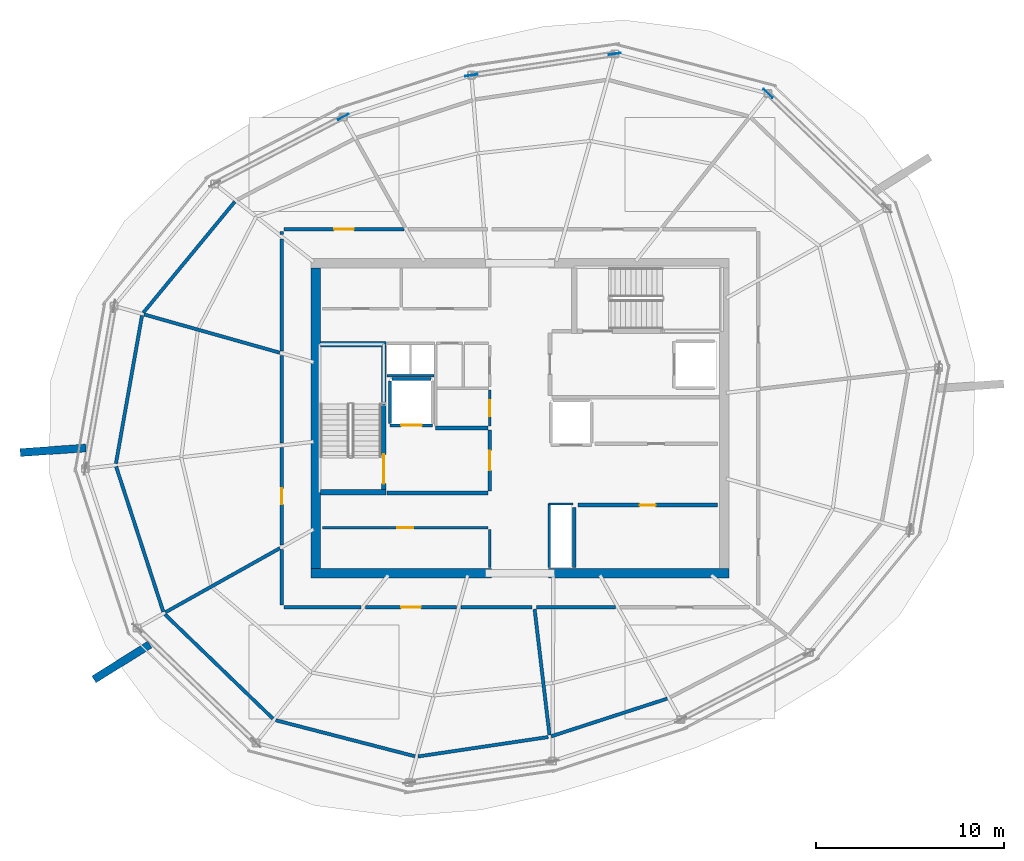
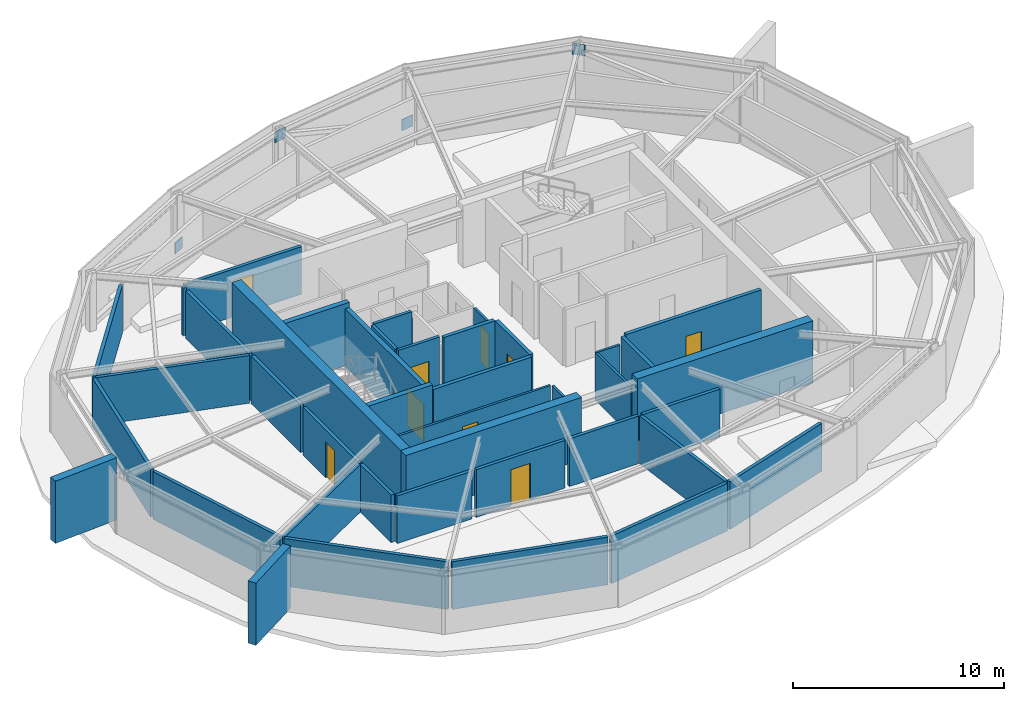
# One storey, part 7 of 10: 42 walls, 9 doors, 4 plates, 9 openings.
"""IFC4 building model written with IfcOpenShell, lengths in metres."""

import ifcopenshell
import ifcopenshell.guid

model = None  # the IFC model being written
_history = None  # IfcOwnerHistory: only IFC2X3 demands one
_inside = {}  # id of a spatial element -> (the spatial element, [elements in it])
_under = {}  # id of a project, library or spatial element -> (it, [spatial elements below it])
_declared = {}  # id of a project -> (the project, [libraries it declares])
_typed = {}  # id of a type object -> (the type object, [elements of that type])
_made_of = {}  # id of a material, layer set ... -> (it, [elements and type objects made of it])


def new_model(schema):
    """Start an empty IFC model of exactly this schema.

    Asked for "IFC4X3", IfcOpenShell would pick the latest addendum, in which some entities
    have other attributes; the version numbers below select the first issue.
    IFC2X3 requires an IfcOwnerHistory on every rooted entity: one is made here for all.
    """
    global model, _history
    if schema == "IFC4X3":
        model = ifcopenshell.file(schema_version=(4, 3, 0, 0))
    else:
        model = ifcopenshell.file(schema=schema)
    _inside.clear()
    _under.clear()
    _declared.clear()
    _typed.clear()
    _made_of.clear()
    _history = None
    if model.schema == "IFC2X3":
        org = make("IfcOrganization", Name="unknown")
        user = make(
            "IfcPersonAndOrganization",
            ThePerson=make("IfcPerson", FamilyName="unknown"),
            TheOrganization=org,
        )
        app = make(
            "IfcApplication",
            ApplicationDeveloper=org,
            Version="unknown",
            ApplicationFullName="unknown",
            ApplicationIdentifier="unknown",
        )
        _history = make(
            "IfcOwnerHistory",
            OwningUser=user,
            OwningApplication=app,
            ChangeAction="ADDED",
            CreationDate=0,
        )
    return model


def make(cls, **values):
    """One entity of the class cls with the attributes given. An attribute that is None is left unset."""
    return model.create_entity(
        cls, **{name: value for name, value in values.items() if value is not None}
    )


def rooted(cls, **values):
    """An entity with a GlobalId (a new one), such as an element, a storey or a relation."""
    return make(cls, GlobalId=ifcopenshell.guid.new(), OwnerHistory=_history, **values)


def si_unit(unit_type, name, prefix=None):
    """IfcSIUnit, for example si_unit("LENGTHUNIT", "METRE", prefix="MILLI")."""
    return make("IfcSIUnit", UnitType=unit_type, Prefix=prefix, Name=name)


def assignment(units):
    """IfcUnitAssignment: the units of a project."""
    return None if units is None else make("IfcUnitAssignment", Units=units)


def point(xyz):
    """IfcCartesianPoint."""
    return None if xyz is None else make("IfcCartesianPoint", Coordinates=xyz)


def direction(xyz):
    """IfcDirection."""
    return None if xyz is None else make("IfcDirection", DirectionRatios=xyz)


def frame(location, z_axis=None, x_axis=None):
    """IfcAxis2Placement3D, a coordinate frame: its origin and axes. An axis left out is left unset."""
    return make(
        "IfcAxis2Placement3D",
        Location=point(location),
        Axis=direction(z_axis),
        RefDirection=direction(x_axis),
    )


def frame_2d(location, x_axis=None):
    """IfcAxis2Placement2D, a coordinate frame in the plane: its origin and x axis."""
    return make(
        "IfcAxis2Placement2D", Location=point(location), RefDirection=direction(x_axis)
    )


def origin():
    """The frame at (0, 0, 0) with its axes left unset."""
    return frame((0.0, 0.0, 0.0))


def origin_2d():
    """The frame at (0, 0) in the plane with its x axis left unset."""
    return frame_2d((0.0, 0.0))


def place(relative_to, where):
    """IfcLocalPlacement: puts the frame where relative to a parent placement (None: the world)."""
    return make(
        "IfcLocalPlacement", PlacementRelTo=relative_to, RelativePlacement=where
    )


def context(
    kind, dimensions, precision=None, world=None, true_north=None, identifier=None
):
    """IfcGeometricRepresentationContext, for example the 3D "Model" context."""
    return make(
        "IfcGeometricRepresentationContext",
        ContextIdentifier=identifier,
        ContextType=kind,
        CoordinateSpaceDimension=dimensions,
        Precision=precision,
        WorldCoordinateSystem=world,
        TrueNorth=true_north,
    )


def subcontext(parent, identifier, kind, view, scale=None):
    """IfcGeometricRepresentationSubContext, for example "Body" below "Model"."""
    return make(
        "IfcGeometricRepresentationSubContext",
        ContextIdentifier=identifier,
        ContextType=kind,
        ParentContext=parent,
        TargetScale=scale,
        TargetView=view,
    )


def project(units=None, contexts=None):
    """IfcProject with its units and contexts."""
    return rooted(
        "IfcProject",
        Name="project",
        RepresentationContexts=contexts,
        UnitsInContext=assignment(units),
    )


def spatial(cls, under=None, at=None, **own):
    """A site, building, storey or space (cls), placed at a placement, below another one or the project."""
    s = rooted(cls, ObjectPlacement=at, **own)
    if under is not None:
        _under.setdefault(under.id(), (under, []))[1].append(s)
    return s


def profile(cls, at=None, kind="AREA", **sizes):
    """A parametric profile (cls). Its sizes go by their IFC names, for example OverallWidth=200.0."""
    return make(cls, ProfileType=kind, Position=at, **sizes)


def rectangle(**sizes):
    """IfcRectangleProfileDef."""
    return profile("IfcRectangleProfileDef", **sizes)


def extrude(swept, where, along, depth):
    """IfcExtrudedAreaSolid: the profile swept, set in the frame where, extruded along a direction by depth."""
    return make(
        "IfcExtrudedAreaSolid",
        SweptArea=swept,
        Position=where,
        ExtrudedDirection=direction(along),
        Depth=depth,
    )


def shape(context_of_items, identifier, shape_type, items):
    """IfcShapeRepresentation: the items that make up one representation, for example the "Body"."""
    return make(
        "IfcShapeRepresentation",
        ContextOfItems=context_of_items,
        RepresentationIdentifier=identifier,
        RepresentationType=shape_type,
        Items=items,
    )


def material(Name=None, Category=None):
    """IfcMaterial."""
    return make("IfcMaterial", Name=Name, Category=Category)


def layer(
    of_material, thickness, ventilated=None, Name=None, Category=None, Priority=None
):
    """IfcMaterialLayer: one layer of a wall or slab, of a material (None: an air gap)."""
    return make(
        "IfcMaterialLayer",
        Material=of_material,
        LayerThickness=thickness,
        IsVentilated=ventilated,
        Name=Name,
        Category=Category,
        Priority=Priority,
    )


def layer_set(layers, Name=None):
    """IfcMaterialLayerSet."""
    return make("IfcMaterialLayerSet", MaterialLayers=layers, LayerSetName=Name)


def made_of(thing, what):
    """Note that an element or type object is made of a material, layer set ...; save() writes the relation."""
    if what is not None:
        _made_of.setdefault(what.id(), (what, []))[1].append(thing)
    return thing


def type_object(cls, material=None, **own):
    """A type object (cls), such as IfcWallType, which elements share."""
    return made_of(rooted(cls, **own), material)


def element(
    cls,
    number,
    at=None,
    inside=None,
    cuts=None,
    type_object=None,
    material=None,
    context=None,
    identifier="Body",
    shape_type=None,
    held_by="IfcProductDefinitionShape",
    body=None,
    shapes=None,
    **own,
):
    """One element of the class cls, such as IfcWall. Its Tag is "e" and its number.

    at: its placement. inside: the storey or other place that contains it. cuts: it is an
    opening in that element (IfcRelVoidsElement). A single representation is given by context,
    identifier, shape_type and body (its items); several are given by shapes. held_by: the class
    of the entity that holds the representations. save() writes the other relations.
    """
    e = rooted(cls, Tag="e%d" % number, ObjectPlacement=at, **own)
    if body is not None:
        shapes = [shape(context, identifier, shape_type, body)]
    if shapes is not None:
        e.Representation = make(held_by, Representations=shapes)
    if inside is not None:
        _inside.setdefault(inside.id(), (inside, []))[1].append(e)
    if cuts is not None:
        rooted(
            "IfcRelVoidsElement", RelatingBuildingElement=cuts, RelatedOpeningElement=e
        )
    if type_object is not None:
        _typed.setdefault(type_object.id(), (type_object, []))[1].append(e)
    return made_of(e, material)


def fill(opening, filler):
    """IfcRelFillsElement: the door or window that sits in an opening."""
    return rooted(
        "IfcRelFillsElement",
        RelatingOpeningElement=opening,
        RelatedBuildingElement=filler,
    )


def aggregate(whole, parts):
    """IfcRelAggregates: a whole, such as a stair, and the parts it consists of."""
    return rooted("IfcRelAggregates", RelatingObject=whole, RelatedObjects=parts)


def save(model, path):
    """Write the relations noted so far, then the file.

    IfcRelAggregates (storeys below a building ...), IfcRelContainedInSpatialStructure (elements
    in a storey), IfcRelDefinesByType, IfcRelAssociatesMaterial and IfcRelDeclares: one each for
    every whole, place, type object, material and project.
    """
    for whole, parts in _under.values():
        aggregate(whole, parts)
    for where, things in _inside.values():
        rooted(
            "IfcRelContainedInSpatialStructure",
            RelatedElements=things,
            RelatingStructure=where,
        )
    for kind, things in _typed.values():
        rooted("IfcRelDefinesByType", RelatedObjects=things, RelatingType=kind)
    for what, things in _made_of.values():
        rooted("IfcRelAssociatesMaterial", RelatedObjects=things, RelatingMaterial=what)
    for by, libraries in _declared.values():
        rooted("IfcRelDeclares", RelatingContext=by, RelatedDefinitions=libraries)
    model.write(path)


model = new_model("IFC4")

# Units and contexts
model_context = context("Model", 3, precision=1e-05, world=origin(), true_north=direction((0.0, 1.0)))
body_context = subcontext(model_context, "Body", "Model", "MODEL_VIEW")
ifc_project = project(units=[si_unit("LENGTHUNIT", "METRE"), si_unit("AREAUNIT", "SQUARE_METRE"), si_unit("VOLUMEUNIT", "CUBIC_METRE"), si_unit("PLANEANGLEUNIT", "RADIAN"), si_unit("MASSUNIT", "GRAM", prefix="KILO")], contexts=[model_context])

# Site, building, storey
site_placement = place(None, origin())
site = spatial("IfcSite", under=ifc_project, at=site_placement, CompositionType="ELEMENT")
building_placement = place(site_placement, origin())
building = spatial("IfcBuilding", under=site, at=building_placement, Name="Kazma Halo Residences", CompositionType="ELEMENT")
storey_placement = place(building_placement, frame((0.0, 0.0, 359.60009765625)))
storey = spatial("IfcBuildingStorey", under=building, at=storey_placement, Name="L90", CompositionType="ELEMENT", Elevation=359.60009765625)

# Plates
ifc_material_1 = material(Name="Steel S355", Category="steel")
ifc_layer_1 = layer(ifc_material_1, 0.0400390625)
ifc_layer_set_1 = layer_set([ifc_layer_1], Name="Steel S355")
plate_type = type_object("IfcPlateType", Name="PLT-GUSSET-40", PredefinedType="SHEET", material=ifc_layer_set_1)
for number, where, z_axis, x_axis, name in (
    (1, (61.617431640625, 59.273681640625, 2.614990234375), (0.0, 0.0, 1.0), (-0.719342064482, 0.694656025863, 0.0), "L90 crown brace upper gusset 01"),
    (2, (53.46630859375, 61.38232421875, -0.045166015625), (0.0, 0.0, 1.0), (-0.98903421845, -0.147686542161, 0.0), "L90 crown brace lower gusset 03"),
    (3, (45.8408203125, 60.24365234375, 2.614990234375), (0.0, 0.0, 1.0), (-0.98903421845, -0.147686542161, 0.0), "L90 crown brace upper gusset 03"),
    (4, (39.0234375, 58.02880859375, -0.045166015625), (0.0, 0.0, 1.0), (-0.886949727325, -0.461865977529, 0.0), "L90 crown brace lower gusset 05"),
):
    element("IfcPlate", number, at=place(storey_placement, frame(where, z_axis=z_axis, x_axis=x_axis)), inside=storey, type_object=plate_type, Name=name, PredefinedType="SHEET", context=body_context, shape_type="SweptSolid", body=[
        extrude(rectangle(XDim=0.64990234375, YDim=0.0400390625, at=origin_2d()), origin(), (0.0, 0.0, 1.0), 0.64990234375),
    ])

# Walls
ifc_material_2 = material(Name="Pale Concrete C60/75", Category="concrete")
ifc_layer_2 = layer(ifc_material_2, 0.419921875)
ifc_layer_set_2 = layer_set([ifc_layer_2], Name="Pale Concrete C60/75")
wall_type_1 = type_object("IfcWallType", Name="WL-BLADE-420", PredefinedType="SOLIDWALL", material=ifc_layer_set_2)
for number, where, z_axis, x_axis, name in (
    (5, (25.333984375, 40.4150390625, 0.0), (0.0, 0.0, 1.0), (-0.997564163539, -0.069754853754, 0.0), "L90 pale concrete structural blade fin wall BW-02"),
    (6, (28.731201171875, 29.95947265625, 0.0), (0.0, 0.0, 1.0), (-0.848033572426, -0.529942506352, 0.0), "L90 pale concrete structural blade fin wall BW-03"),
):
    element("IfcWall", number, at=place(storey_placement, frame(where, z_axis=z_axis, x_axis=x_axis)), inside=storey, type_object=wall_type_1, Name=name, PredefinedType="SOLIDWALL", context=body_context, shape_type="SweptSolid", body=[
        extrude(rectangle(XDim=3.5, YDim=0.419921875, at=frame_2d((1.75, 0.0))), origin(), (0.0, 0.0, 1.0), 3.599853515625),
    ])
ifc_material_3 = material(Name="Concrete C60/75", Category="concrete")
ifc_layer_3 = layer(ifc_material_3, 0.5)
ifc_layer_set_3 = layer_set([ifc_layer_3], Name="Concrete C60/75")
wall_type_2 = type_object("IfcWallType", Name="WL-CORE-500", PredefinedType="SHEAR", material=ifc_layer_set_3)
wall_1_placement = place(storey_placement, frame((37.300048828125, 33.75, 0.0), z_axis=(0.0, 0.0, 1.0), x_axis=(1.0, 0.0, 0.0)))
element("IfcWall", 7, at=wall_1_placement, inside=storey, type_object=wall_type_2, Name="L90 central core shear wall SW", PredefinedType="SHEAR", context=body_context, shape_type="SweptSolid", body=[
    extrude(rectangle(XDim=9.599853515625, YDim=0.5, at=frame_2d((4.7998046875, 0.0))), origin(), (0.0, 0.0, 1.0), 3.599853515625),
])
wall_2_placement = place(storey_placement, frame((49.949951171875, 33.75, 0.0), z_axis=(0.0, 0.0, 1.0), x_axis=(1.0, 0.0, 0.0)))
element("IfcWall", 8, at=wall_2_placement, inside=storey, type_object=wall_type_2, Name="L90 central core shear wall SE", PredefinedType="SHEAR", context=body_context, shape_type="SweptSolid", body=[
    extrude(rectangle(XDim=9.60009765625, YDim=0.5, at=frame_2d((4.800048828125, 0.0))), origin(), (0.0, 0.0, 1.0), 3.599853515625),
])
wall_3_placement = place(storey_placement, frame((37.550048828125, 34.0, 0.0), z_axis=(0.0, 0.0, 1.0), x_axis=(0.0, 1.0, 0.0)))
element("IfcWall", 9, at=wall_3_placement, inside=storey, type_object=wall_type_2, Name="L90 central core shear wall W", PredefinedType="SHEAR", context=body_context, shape_type="SweptSolid", body=[
    extrude(rectangle(XDim=16.0, YDim=0.5, at=frame_2d((8.0, 0.0))), origin(), (0.0, 0.0, 1.0), 3.599853515625),
])
ifc_layer_4 = layer(ifc_material_3, 0.280029296875)
ifc_layer_set_4 = layer_set([ifc_layer_4], Name="Concrete C60/75")
wall_type_3 = type_object("IfcWallType", Name="WL-CORE-ST-280", PredefinedType="SHEAR", material=ifc_layer_set_4)
for number, where, z_axis, x_axis, name in (
    (10, (37.800048828125, 38.06005859375, 0.0), (0.0, 0.0, 1.0), (1.0, 0.0, 0.0), "L90 stairwell bearing wall ST01-S"),
    (11, (37.800048828125, 45.93994140625, 0.0), (0.0, 0.0, 1.0), (1.0, 0.0, 0.0), "L90 stairwell bearing wall ST01-N"),
):
    element("IfcWall", number, at=place(storey_placement, frame(where, z_axis=z_axis, x_axis=x_axis)), inside=storey, type_object=wall_type_3, Name=name, PredefinedType="SHEAR", context=body_context, shape_type="SweptSolid", body=[
        extrude(rectangle(XDim=3.5, YDim=0.280029296875, at=frame_2d((1.75, 0.0))), origin(), (0.0, 0.0, 1.0), 3.599853515625),
    ])
ifc_material_4 = material(Name="Acoustic Twin-Stud Gypsum")
ifc_layer_5 = layer(ifc_material_4, 0.179931640625)
ifc_layer_set_5 = layer_set([ifc_layer_5], Name="Acoustic Twin-Stud Gypsum")
wall_type_4 = type_object("IfcWallType", Name="WL-DEM-180", PredefinedType="PARTITIONING", material=ifc_layer_set_5)
wall_4_placement = place(storey_placement, frame((33.257568359375, 53.520263671875, 0.0), z_axis=(0.0, 0.0, 1.0), x_axis=(-0.636018833443, -0.771673534278, 0.0)))
element("IfcWall", 12, at=wall_4_placement, inside=storey, type_object=wall_type_4, Name="L90 crown plant perimeter wall 05", PredefinedType="PARTITIONING", context=body_context, shape_type="SweptSolid", body=[
    extrude(rectangle(XDim=7.661376953125, YDim=0.179931640625, at=frame_2d((3.83056640625, 0.0))), origin(), (0.0, 0.0, 1.0), 2.760009765625),
])
wall_5_placement = place(storey_placement, frame((28.320068359375, 47.467529296875, 0.0), z_axis=(0.0, 0.0, 1.0), x_axis=(-0.173668776466, -0.984804120666, 0.0)))
element("IfcWall", 13, at=wall_5_placement, inside=storey, type_object=wall_type_4, Name="L90 crown plant perimeter wall 06", PredefinedType="PARTITIONING", context=body_context, shape_type="SweptSolid", body=[
    extrude(rectangle(XDim=8.005859375, YDim=0.179931640625, at=frame_2d((4.0029296875, 0.0))), origin(), (0.0, 0.0, 1.0), 2.760009765625),
])
wall_6_placement = place(storey_placement, frame((26.940673828125, 39.428466796875, 0.0), z_axis=(0.0, 0.0, 1.0), x_axis=(0.309024234991, -0.951054163646, 0.0)))
element("IfcWall", 14, at=wall_6_placement, inside=storey, type_object=wall_type_4, Name="L90 crown plant perimeter wall 07", PredefinedType="PARTITIONING", context=body_context, shape_type="SweptSolid", body=[
    extrude(rectangle(XDim=8.1240234375, YDim=0.179931640625, at=frame_2d((4.06201171875, 0.0))), origin(), (0.0, 0.0, 1.0), 2.760009765625),
])
wall_7_placement = place(storey_placement, frame((29.533203125, 31.5703125, 0.0), z_axis=(0.0, 0.0, 1.0), x_axis=(0.719364153135, -0.694633151516, 0.0)))
element("IfcWall", 15, at=wall_7_placement, inside=storey, type_object=wall_type_4, Name="L90 crown plant perimeter wall 08", PredefinedType="PARTITIONING", context=body_context, shape_type="SweptSolid", body=[
    extrude(rectangle(XDim=8.006103515625, YDim=0.179931640625, at=frame_2d((4.0029296875, 0.0))), origin(), (0.0, 0.0, 1.0), 2.760009765625),
])
wall_8_placement = place(storey_placement, frame((35.42724609375, 25.93359375, 0.0), z_axis=(0.0, 0.0, 1.0), x_axis=(0.968117205342, -0.250497658115, 0.0)))
element("IfcWall", 16, at=wall_8_placement, inside=storey, type_object=wall_type_4, Name="L90 crown plant perimeter wall 09", PredefinedType="PARTITIONING", context=body_context, shape_type="SweptSolid", body=[
    extrude(rectangle(XDim=7.66162109375, YDim=0.179931640625, at=frame_2d((3.830810546875, 0.0))), origin(), (0.0, 0.0, 1.0), 2.760009765625),
])
wall_9_placement = place(storey_placement, frame((43.0009765625, 24.00634765625, 0.0), z_axis=(0.0, 0.0, 1.0), x_axis=(0.989034336252, 0.147685753256, 0.0)))
element("IfcWall", 17, at=wall_9_placement, inside=storey, type_object=wall_type_4, Name="L90 crown plant perimeter wall 10", PredefinedType="PARTITIONING", context=body_context, shape_type="SweptSolid", body=[
    extrude(rectangle(XDim=7.002685546875, YDim=0.179931640625, at=frame_2d((3.50146484375, 0.0))), origin(), (0.0, 0.0, 1.0), 2.760009765625),
])
wall_10_placement = place(storey_placement, frame((50.08203125, 25.076904296875, 0.0), z_axis=(0.0, 0.0, 1.0), x_axis=(0.95105283999, 0.309028308649, 0.0)))
element("IfcWall", 18, at=wall_10_placement, inside=storey, type_object=wall_type_4, Name="L90 crown plant perimeter wall 11", PredefinedType="PARTITIONING", context=body_context, shape_type="SweptSolid", body=[
    extrude(rectangle(XDim=6.498779296875, YDim=0.179931640625, at=frame_2d((3.24951171875, 0.0))), origin(), (0.0, 0.0, 1.0), 2.760009765625),
])

# Wall, opening, door
wall_11_placement = place(storey_placement, frame((42.251708984375, 52.050048828125, 0.0), z_axis=(0.0, 0.0, 1.0), x_axis=(-1.0, 0.0, 0.0)))
wall_11 = element("IfcWall", 19, at=wall_11_placement, inside=storey, type_object=wall_type_4, Name="L90 L90 Primary AHU Mechanical Plant Room corridor wall", PredefinedType="PARTITIONING", context=body_context, shape_type="SweptSolid", body=[
    extrude(rectangle(XDim=6.381591796875, YDim=0.179931640625, at=frame_2d((3.19091796875, 0.0))), origin(), (0.0, 0.0, 1.0), 2.760009765625),
])
opening_1_placement = place(wall_11_placement, frame((2.666015625, 0.0, 0.0)))
opening_1 = element("IfcOpeningElement", 20, at=opening_1_placement, cuts=wall_11, Name="Opening DF-1050", PredefinedType="OPENING", context=body_context, shape_type="SweptSolid", body=[
    extrude(rectangle(XDim=1.050048828125, YDim=2.10009765625, at=frame_2d((0.52490234375, 1.050048828125))), frame((0.0, 0.099853515625, 0.0), z_axis=(0.0, -1.0, 0.0), x_axis=(1.0, 0.0, 0.0)), (0.0, 0.0, 1.0), 0.199951171875),
])
ifc_material_5 = material(Name="Fire-Rated Steel Leaf", Category="steel")
door_type_1 = type_object("IfcDoorType", Name="DR-FD90-1050", OperationType="NOTDEFINED", PredefinedType="DOOR", material=ifc_material_5)
door_1_placement = place(opening_1_placement, origin())
door_1 = element("IfcDoor", 21, at=door_1_placement, inside=storey, type_object=door_type_1, Name="L90 L90 Primary AHU Mechanical Plant Room door", OperationType="SINGLE_SWING_LEFT", OverallHeight=2.10009765625, OverallWidth=1.050048828125, PredefinedType="DOOR", context=body_context, shape_type="SweptSolid", body=[
    extrude(rectangle(XDim=1.050048828125, YDim=2.10009765625, at=frame_2d((0.52490234375, 1.050048828125))), frame((0.0, 0.02490234375, 0.0), z_axis=(0.0, -1.0, 0.0), x_axis=(1.0, 0.0, 0.0)), (0.0, 0.0, 1.0), 0.050048828125),
])
fill(opening_1, door_1)

# Walls
wall_12_placement = place(storey_placement, frame((35.75, 51.929931640625, 0.0), z_axis=(0.0, 0.0, 1.0), x_axis=(0.0, -1.0, 0.0)))
element("IfcWall", 22, at=wall_12_placement, inside=storey, type_object=wall_type_4, Name="L90 L90 Primary AHU Mechanical Plant Room corridor wall", PredefinedType="PARTITIONING", context=body_context, shape_type="SweptSolid", body=[
    extrude(rectangle(XDim=0.15283203125, YDim=0.179931640625, at=frame_2d((0.076416015625, 0.0))), origin(), (0.0, 0.0, 1.0), 2.760009765625),
])
wall_13_placement = place(storey_placement, frame((35.75, 51.537109375, 0.0), z_axis=(0.0, 0.0, 1.0), x_axis=(0.0, -1.0, 0.0)))
element("IfcWall", 23, at=wall_13_placement, inside=storey, type_object=wall_type_4, Name="L90 L90 Primary AHU Mechanical Plant Room corridor wall", PredefinedType="PARTITIONING", context=body_context, shape_type="SweptSolid", body=[
    extrude(rectangle(XDim=5.962158203125, YDim=0.179931640625, at=frame_2d((2.98095703125, 0.0))), origin(), (0.0, 0.0, 1.0), 2.760009765625),
])
wall_14_placement = place(storey_placement, frame((35.64404296875, 45.48486328125, 0.0), z_axis=(0.0, 0.0, 1.0), x_axis=(-0.96245862205, 0.271428445159, 0.0)))
element("IfcWall", 24, at=wall_14_placement, inside=storey, type_object=wall_type_4, Name="L90 radial partition wall 06", PredefinedType="PARTITIONING", context=body_context, shape_type="SweptSolid", body=[
    extrude(rectangle(XDim=7.495361328125, YDim=0.179931640625, at=frame_2d((3.74755859375, 0.0))), origin(), (0.0, 0.0, 1.0), 2.760009765625),
])
wall_15_placement = place(storey_placement, frame((35.75, 45.3349609375, 0.0), z_axis=(0.0, 0.0, 1.0), x_axis=(0.0, -1.0, 0.0)))
element("IfcWall", 25, at=wall_15_placement, inside=storey, type_object=wall_type_4, Name="L90 L90 Fire Reserve Water Tank Room corridor wall", PredefinedType="PARTITIONING", context=body_context, shape_type="SweptSolid", body=[
    extrude(rectangle(XDim=4.664794921875, YDim=0.179931640625, at=frame_2d((2.33251953125, 0.0))), origin(), (0.0, 0.0, 1.0), 2.760009765625),
])

# Wall, opening, door
wall_16_placement = place(storey_placement, frame((35.75, 40.43017578125, 0.0), z_axis=(0.0, 0.0, 1.0), x_axis=(0.0, -1.0, 0.0)))
wall_16 = element("IfcWall", 26, at=wall_16_placement, inside=storey, type_object=wall_type_4, Name="L90 L90 Fire Reserve Water Tank Room corridor wall", PredefinedType="PARTITIONING", context=body_context, shape_type="SweptSolid", body=[
    extrude(rectangle(XDim=5.17041015625, YDim=0.179931640625, at=frame_2d((2.585205078125, 0.0))), origin(), (0.0, 0.0, 1.0), 2.760009765625),
])
opening_2_placement = place(wall_16_placement, frame((2.16015625, 0.0, 0.0)))
opening_2 = element("IfcOpeningElement", 27, at=opening_2_placement, cuts=wall_16, Name="Opening DS-850", PredefinedType="OPENING", context=body_context, shape_type="SweptSolid", body=[
    extrude(rectangle(XDim=0.85009765625, YDim=2.06005859375, at=frame_2d((0.425048828125, 1.030029296875))), frame((0.0, 0.099853515625, 0.0), z_axis=(0.0, -1.0, 0.0), x_axis=(1.0, 0.0, 0.0)), (0.0, 0.0, 1.0), 0.199951171875),
])
ifc_material_6 = material(Name="Painted Steel Access Leaf", Category="steel")
door_type_2 = type_object("IfcDoorType", Name="DR-SVC-850", OperationType="NOTDEFINED", PredefinedType="DOOR", material=ifc_material_6)
door_2_placement = place(opening_2_placement, origin())
door_2 = element("IfcDoor", 28, at=door_2_placement, inside=storey, type_object=door_type_2, Name="L90 L90 Fire Reserve Water Tank Room door", OperationType="SINGLE_SWING_RIGHT", OverallHeight=2.06005859375, OverallWidth=0.85009765625, PredefinedType="DOOR", context=body_context, shape_type="SweptSolid", body=[
    extrude(rectangle(XDim=0.85009765625, YDim=2.06005859375, at=frame_2d((0.425048828125, 1.030029296875))), frame((0.0, 0.02490234375, 0.0), z_axis=(0.0, -1.0, 0.0), x_axis=(1.0, 0.0, 0.0)), (0.0, 0.0, 1.0), 0.050048828125),
])
fill(opening_2, door_2)

# Walls
wall_17_placement = place(storey_placement, frame((35.654052734375, 35.0859375, 0.0), z_axis=(0.0, 0.0, 1.0), x_axis=(-0.872497667023, -0.488618277432, 0.0)))
element("IfcWall", 29, at=wall_17_placement, inside=storey, type_object=wall_type_4, Name="L90 radial partition wall 08", PredefinedType="PARTITIONING", context=body_context, shape_type="SweptSolid", body=[
    extrude(rectangle(XDim=6.981201171875, YDim=0.179931640625, at=frame_2d((3.49072265625, 0.0))), origin(), (0.0, 0.0, 1.0), 2.760009765625),
])
wall_18_placement = place(storey_placement, frame((35.75, 35.019775390625, 0.0), z_axis=(0.0, 0.0, 1.0), x_axis=(0.0, -1.0, 0.0)))
element("IfcWall", 30, at=wall_18_placement, inside=storey, type_object=wall_type_4, Name="L90 L90 Heat Recovery Mechanical Plant Room corridor wall", PredefinedType="PARTITIONING", context=body_context, shape_type="SweptSolid", body=[
    extrude(rectangle(XDim=2.94970703125, YDim=0.179931640625, at=frame_2d((1.474853515625, 0.0))), origin(), (0.0, 0.0, 1.0), 2.760009765625),
])
wall_19_placement = place(storey_placement, frame((35.8701171875, 31.949951171875, 0.0), z_axis=(0.0, 0.0, 1.0), x_axis=(1.0, 0.0, 0.0)))
element("IfcWall", 31, at=wall_19_placement, inside=storey, type_object=wall_type_4, Name="L90 L90 Heat Recovery Mechanical Plant Room corridor wall", PredefinedType="PARTITIONING", context=body_context, shape_type="SweptSolid", body=[
    extrude(rectangle(XDim=4.087158203125, YDim=0.179931640625, at=frame_2d((2.04345703125, 0.0))), origin(), (0.0, 0.0, 1.0), 2.760009765625),
])

# Wall, opening, door
wall_20_placement = place(storey_placement, frame((40.197265625, 31.949951171875, 0.0), z_axis=(0.0, 0.0, 1.0), x_axis=(1.0, 0.0, 0.0)))
wall_20 = element("IfcWall", 32, at=wall_20_placement, inside=storey, type_object=wall_type_4, Name="L90 L90 Heat Recovery Mechanical Plant Room corridor wall", PredefinedType="PARTITIONING", context=body_context, shape_type="SweptSolid", body=[
    extrude(rectangle(XDim=4.848388671875, YDim=0.179931640625, at=frame_2d((2.42431640625, 0.0))), origin(), (0.0, 0.0, 1.0), 2.760009765625),
])
opening_3_placement = place(wall_20_placement, frame((1.899169921875, 0.0, 0.0)))
opening_3 = element("IfcOpeningElement", 33, at=opening_3_placement, cuts=wall_20, Name="Opening DF-1050", PredefinedType="OPENING", context=body_context, shape_type="SweptSolid", body=[
    extrude(rectangle(XDim=1.050048828125, YDim=2.10009765625, at=frame_2d((0.52490234375, 1.050048828125))), frame((0.0, 0.099853515625, 0.0), z_axis=(0.0, -1.0, 0.0), x_axis=(1.0, 0.0, 0.0)), (0.0, 0.0, 1.0), 0.199951171875),
])
door_3_placement = place(opening_3_placement, origin())
door_3 = element("IfcDoor", 34, at=door_3_placement, inside=storey, type_object=door_type_1, Name="L90 L90 Heat Recovery Mechanical Plant Room door", OperationType="SINGLE_SWING_LEFT", OverallHeight=2.10009765625, OverallWidth=1.050048828125, PredefinedType="DOOR", context=body_context, shape_type="SweptSolid", body=[
    extrude(rectangle(XDim=1.050048828125, YDim=2.10009765625, at=frame_2d((0.52490234375, 1.050048828125))), frame((0.0, 0.02490234375, 0.0), z_axis=(0.0, -1.0, 0.0), x_axis=(1.0, 0.0, 0.0)), (0.0, 0.0, 1.0), 0.050048828125),
])
fill(opening_3, door_3)

# Walls
wall_21_placement = place(storey_placement, frame((45.28564453125, 31.949951171875, 0.0), z_axis=(0.0, 0.0, 1.0), x_axis=(1.0, 0.0, 0.0)))
element("IfcWall", 35, at=wall_21_placement, inside=storey, type_object=wall_type_4, Name="L90 L90 Heat Recovery Mechanical Plant Room corridor wall", PredefinedType="PARTITIONING", context=body_context, shape_type="SweptSolid", body=[
    extrude(rectangle(XDim=3.783935546875, YDim=0.179931640625, at=frame_2d((1.89208984375, 0.0))), origin(), (0.0, 0.0, 1.0), 2.760009765625),
])
wall_22_placement = place(storey_placement, frame((49.202392578125, 31.8408203125, 0.0), z_axis=(0.0, 0.0, 1.0), x_axis=(0.117541495417, -0.993067971921, 0.0)))
element("IfcWall", 36, at=wall_22_placement, inside=storey, type_object=wall_type_4, Name="L90 radial partition wall 11", PredefinedType="PARTITIONING", context=body_context, shape_type="SweptSolid", body=[
    extrude(rectangle(XDim=6.73583984375, YDim=0.179931640625, at=frame_2d((3.367919921875, 0.0))), origin(), (0.0, 0.0, 1.0), 2.760009765625),
])
wall_23_placement = place(storey_placement, frame((49.3095703125, 31.949951171875, 0.0), z_axis=(0.0, 0.0, 1.0), x_axis=(1.0, 0.0, 0.0)))
element("IfcWall", 37, at=wall_23_placement, inside=storey, type_object=wall_type_4, Name="L90 L90 Domestic Break Water Tank Room corridor wall", PredefinedType="PARTITIONING", context=body_context, shape_type="SweptSolid", body=[
    extrude(rectangle(XDim=4.19873046875, YDim=0.179931640625, at=frame_2d((2.099365234375, 0.0))), origin(), (0.0, 0.0, 1.0), 2.760009765625),
])

# Wall, opening, door
ifc_material_7 = material(Name="Fire-Rated Blockwork Masonry", Category="masonry")
ifc_layer_6 = layer(ifc_material_7, 0.199951171875)
ifc_layer_set_6 = layer_set([ifc_layer_6], Name="Fire-Rated Blockwork Masonry")
wall_type_5 = type_object("IfcWallType", Name="WL-FLB-200", PredefinedType="PARTITIONING", material=ifc_layer_set_6)
wall_24_placement = place(storey_placement, frame((51.52001953125, 37.3798828125, 0.0), z_axis=(0.0, 0.0, 1.0), x_axis=(1.0, 0.0, 0.0)))
wall_24 = element("IfcWall", 38, at=wall_24_placement, inside=storey, type_object=wall_type_5, Name="L90 core fan plant wall", PredefinedType="PARTITIONING", context=body_context, shape_type="SweptSolid", body=[
    extrude(rectangle(XDim=7.39990234375, YDim=0.199951171875, at=frame_2d((3.699951171875, 0.0))), origin(), (0.0, 0.0, 1.0), 3.31982421875),
])
opening_4_placement = place(wall_24_placement, frame((3.27490234375, 0.0, 0.0)))
opening_4 = element("IfcOpeningElement", 39, at=opening_4_placement, cuts=wall_24, Name="Opening DS-850", PredefinedType="OPENING", context=body_context, shape_type="SweptSolid", body=[
    extrude(rectangle(XDim=0.85009765625, YDim=2.06005859375, at=frame_2d((0.425048828125, 1.030029296875))), frame((0.0, 0.10986328125, 0.0), z_axis=(0.0, -1.0, 0.0), x_axis=(1.0, 0.0, 0.0)), (0.0, 0.0, 1.0), 0.219970703125),
])
door_4_placement = place(opening_4_placement, origin())
door_4 = element("IfcDoor", 40, at=door_4_placement, inside=storey, type_object=door_type_2, Name="L90 core fan plant door", OperationType="SINGLE_SWING_LEFT", OverallHeight=2.06005859375, OverallWidth=0.85009765625, PredefinedType="DOOR", context=body_context, shape_type="SweptSolid", body=[
    extrude(rectangle(XDim=0.85009765625, YDim=2.06005859375, at=frame_2d((0.425048828125, 1.030029296875))), frame((0.0, 0.02490234375, 0.0), z_axis=(0.0, -1.0, 0.0), x_axis=(1.0, 0.0, 0.0)), (0.0, 0.0, 1.0), 0.050048828125),
])
fill(opening_4, door_4)

# Wall
wall_25_placement = place(storey_placement, frame((51.31005859375, 34.050048828125, 0.0), z_axis=(0.0, 0.0, 1.0), x_axis=(0.0, 1.0, 0.0)))
element("IfcWall", 41, at=wall_25_placement, inside=storey, type_object=wall_type_5, Name="L90 core fan plant west wall", PredefinedType="PARTITIONING", context=body_context, shape_type="SweptSolid", body=[
    extrude(rectangle(XDim=3.2099609375, YDim=0.199951171875, at=frame_2d((1.60498046875, 0.0))), origin(), (0.0, 0.0, 1.0), 3.31982421875),
])

# Wall, opening, door
wall_26_placement = place(storey_placement, frame((43.780029296875, 41.6201171875, 0.0), z_axis=(0.0, 0.0, 1.0), x_axis=(-1.0, 0.0, 0.0)))
wall_26 = element("IfcWall", 42, at=wall_26_placement, inside=storey, type_object=wall_type_5, Name="L90 lift shaft FL-01 front wall", PredefinedType="PARTITIONING", context=body_context, shape_type="SweptSolid", body=[
    extrude(rectangle(XDim=2.260009765625, YDim=0.159912109375, at=frame_2d((1.1298828125, 0.0))), origin(), (0.0, 0.0, 1.0), 3.31982421875),
])
opening_5_placement = place(wall_26_placement, frame((0.580078125, 0.0, 0.0)))
opening_5 = element("IfcOpeningElement", 43, at=opening_5_placement, cuts=wall_26, Name="Opening LD-FL-01", PredefinedType="OPENING", context=body_context, shape_type="SweptSolid", body=[
    extrude(rectangle(XDim=1.10009765625, YDim=2.10009765625, at=frame_2d((0.550048828125, 1.050048828125))), frame((0.0, 0.08984375, 0.0), z_axis=(0.0, -1.0, 0.0), x_axis=(1.0, 0.0, 0.0)), (0.0, 0.0, 1.0), 0.179931640625),
])
ifc_material_8 = material(Name="Stainless Steel Fire-Rated", Category="steel")
door_type_3 = type_object("IfcDoorType", Name="DR-LIFT-SLD-1100", OperationType="DOUBLE_DOOR_SLIDING", PredefinedType="DOOR", material=ifc_material_8)
door_5_placement = place(opening_5_placement, origin())
door_5 = element("IfcDoor", 44, at=door_5_placement, inside=storey, type_object=door_type_3, Name="L90 lift FL-01 sliding landing door", OperationType="DOUBLE_DOOR_SLIDING", OverallHeight=2.10009765625, OverallWidth=1.10009765625, PredefinedType="DOOR", context=body_context, shape_type="SweptSolid", body=[
    extrude(rectangle(XDim=1.10009765625, YDim=2.10009765625, at=frame_2d((0.550048828125, 1.050048828125))), frame((0.0, 0.02490234375, 0.0), z_axis=(0.0, -1.0, 0.0), x_axis=(1.0, 0.0, 0.0)), (0.0, 0.0, 1.0), 0.050048828125),
])
fill(opening_5, door_5)

# Walls
wall_27_placement = place(storey_placement, frame((41.52001953125, 41.719970703125, 0.0), z_axis=(0.0, 0.0, 1.0), x_axis=(0.0, 1.0, 0.0)))
element("IfcWall", 45, at=wall_27_placement, inside=storey, type_object=wall_type_5, Name="L90 lift shaft FL-01 side wall W", PredefinedType="PARTITIONING", context=body_context, shape_type="SweptSolid", body=[
    extrude(rectangle(XDim=2.260009765625, YDim=0.159912109375, at=frame_2d((1.1298828125, 0.0))), origin(), (0.0, 0.0, 1.0), 3.31982421875),
])
wall_28_placement = place(storey_placement, frame((41.6201171875, 44.080078125, 0.0), z_axis=(0.0, 0.0, 1.0), x_axis=(1.0, 0.0, 0.0)))
element("IfcWall", 46, at=wall_28_placement, inside=storey, type_object=wall_type_5, Name="L90 lift shaft FL-01 side wall N", PredefinedType="PARTITIONING", context=body_context, shape_type="SweptSolid", body=[
    extrude(rectangle(XDim=2.059814453125, YDim=0.159912109375, at=frame_2d((1.02978515625, 0.0))), origin(), (0.0, 0.0, 1.0), 3.31982421875),
])
wall_29_placement = place(storey_placement, frame((41.35009765625, 38.02001953125, 0.0), z_axis=(0.0, 0.0, 1.0), x_axis=(1.0, 0.0, 0.0)))
element("IfcWall", 47, at=wall_29_placement, inside=storey, type_object=wall_type_5, Name="L90 west firefighting lobby south smoke wall", PredefinedType="PARTITIONING", context=body_context, shape_type="SweptSolid", body=[
    extrude(rectangle(XDim=5.369873046875, YDim=0.199951171875, at=frame_2d((2.68505859375, 0.0))), origin(), (0.0, 0.0, 1.0), 3.31982421875),
])
wall_30_placement = place(storey_placement, frame((43.919921875, 41.47998046875, 0.0), z_axis=(0.0, 0.0, 1.0), x_axis=(1.0, 0.0, 0.0)))
element("IfcWall", 48, at=wall_30_placement, inside=storey, type_object=wall_type_5, Name="L90 west firefighting lobby north smoke wall", PredefinedType="PARTITIONING", context=body_context, shape_type="SweptSolid", body=[
    extrude(rectangle(XDim=2.800048828125, YDim=0.199951171875, at=frame_2d((1.39990234375, 0.0))), origin(), (0.0, 0.0, 1.0), 3.31982421875),
])

# Wall, opening, door
wall_31_placement = place(storey_placement, frame((46.820068359375, 38.1201171875, 0.0), z_axis=(0.0, 0.0, 1.0), x_axis=(0.0, 1.0, 0.0)))
wall_31 = element("IfcWall", 49, at=wall_31_placement, inside=storey, type_object=wall_type_5, Name="L90 west firefighting lobby smoke wall", PredefinedType="PARTITIONING", context=body_context, shape_type="SweptSolid", body=[
    extrude(rectangle(XDim=3.259765625, YDim=0.199951171875, at=frame_2d((1.6298828125, 0.0))), origin(), (0.0, 0.0, 1.0), 3.31982421875),
])
opening_6_placement = place(wall_31_placement, frame((1.10498046875, 0.0, 0.0)))
opening_6 = element("IfcOpeningElement", 50, at=opening_6_placement, cuts=wall_31, Name="Opening D-FLW", PredefinedType="OPENING", context=body_context, shape_type="SweptSolid", body=[
    extrude(rectangle(XDim=1.050048828125, YDim=2.10009765625, at=frame_2d((0.52490234375, 1.050048828125))), frame((0.0, 0.10986328125, 0.0), z_axis=(0.0, -1.0, 0.0), x_axis=(1.0, 0.0, 0.0)), (0.0, 0.0, 1.0), 0.219970703125),
])
door_6_placement = place(opening_6_placement, origin())
door_6 = element("IfcDoor", 51, at=door_6_placement, inside=storey, type_object=door_type_1, Name="L90 west firefighting lobby smoke door", OperationType="SINGLE_SWING_LEFT", OverallHeight=2.10009765625, OverallWidth=1.050048828125, PredefinedType="DOOR", context=body_context, shape_type="SweptSolid", body=[
    extrude(rectangle(XDim=1.050048828125, YDim=2.10009765625, at=frame_2d((0.52490234375, 1.050048828125))), frame((0.0, 0.02490234375, 0.0), z_axis=(0.0, -1.0, 0.0), x_axis=(1.0, 0.0, 0.0)), (0.0, 0.0, 1.0), 0.050048828125),
])
fill(opening_6, door_6)

# Wall
ifc_material_9 = material(Name="Gypsum Plasterboard Partition")
ifc_layer_7 = layer(ifc_material_9, 0.125)
ifc_layer_set_7 = layer_set([ifc_layer_7], Name="Gypsum Plasterboard Partition")
wall_type_6 = type_object("IfcWallType", Name="WL-PART-125", PredefinedType="PARTITIONING", material=ifc_layer_set_7)
wall_32_placement = place(storey_placement, frame((46.820068359375, 34.050048828125, 0.0), z_axis=(0.0, 0.0, 1.0), x_axis=(0.0, 1.0, 0.0)))
element("IfcWall", 52, at=wall_32_placement, inside=storey, type_object=wall_type_6, Name="L90 reclaimed south east wall", PredefinedType="PARTITIONING", context=body_context, shape_type="SweptSolid", body=[
    extrude(rectangle(XDim=2.030029296875, YDim=0.125, at=frame_2d((1.01513671875, 0.0))), origin(), (0.0, 0.0, 1.0), 2.760009765625),
])

# Wall, opening, door
wall_33_placement = place(storey_placement, frame((37.919921875, 36.179931640625, 0.0), z_axis=(0.0, 0.0, 1.0), x_axis=(1.0, 0.0, 0.0)))
wall_33 = element("IfcWall", 53, at=wall_33_placement, inside=storey, type_object=wall_type_6, Name="L90 reclaimed south front wall", PredefinedType="PARTITIONING", context=body_context, shape_type="SweptSolid", body=[
    extrude(rectangle(XDim=8.800048828125, YDim=0.125, at=frame_2d((4.39990234375, 0.0))), origin(), (0.0, 0.0, 1.0), 2.760009765625),
])
opening_7_placement = place(wall_33_placement, frame((3.97509765625, 0.0, 0.0)))
opening_7 = element("IfcOpeningElement", 54, at=opening_7_placement, cuts=wall_33, Name="Opening DS-850", PredefinedType="OPENING", context=body_context, shape_type="SweptSolid", body=[
    extrude(rectangle(XDim=0.85009765625, YDim=2.06005859375, at=frame_2d((0.425048828125, 1.030029296875))), frame((0.0, 0.072509765625, 0.0), z_axis=(0.0, -1.0, 0.0), x_axis=(1.0, 0.0, 0.0)), (0.0, 0.0, 1.0), 0.14501953125),
])
door_7_placement = place(opening_7_placement, origin())
door_7 = element("IfcDoor", 55, at=door_7_placement, inside=storey, type_object=door_type_2, Name="L90 reclaimed south service door", OperationType="SINGLE_SWING_LEFT", OverallHeight=2.06005859375, OverallWidth=0.85009765625, PredefinedType="DOOR", context=body_context, shape_type="SweptSolid", body=[
    extrude(rectangle(XDim=0.85009765625, YDim=2.06005859375, at=frame_2d((0.425048828125, 1.030029296875))), frame((0.0, 0.02490234375, 0.0), z_axis=(0.0, -1.0, 0.0), x_axis=(1.0, 0.0, 0.0)), (0.0, 0.0, 1.0), 0.050048828125),
])
fill(opening_7, door_7)

# Walls
wall_34_placement = place(storey_placement, frame((41.360107421875, 44.260009765625, 0.0), z_axis=(0.0, 0.0, 1.0), x_axis=(1.0, 0.0, 0.0)))
element("IfcWall", 56, at=wall_34_placement, inside=storey, type_object=wall_type_6, Name="L90 core riser south wall", PredefinedType="PARTITIONING", context=body_context, shape_type="SweptSolid", body=[
    extrude(rectangle(XDim=2.5, YDim=0.125, at=frame_2d((1.25, 0.0))), origin(), (0.0, 0.0, 1.0), 2.760009765625),
])
wall_35_placement = place(storey_placement, frame((49.97998046875, 34.06005859375, 0.0), z_axis=(0.0, 0.0, 1.0), x_axis=(0.0, 1.0, 0.0)))
element("IfcWall", 57, at=wall_35_placement, inside=storey, type_object=wall_type_6, Name="L90 standpipe riser wall", PredefinedType="PARTITIONING", context=body_context, shape_type="SweptSolid", body=[
    extrude(rectangle(XDim=3.39990234375, YDim=0.125, at=frame_2d((1.699951171875, 0.0))), origin(), (0.0, 0.0, 1.0), 2.760009765625),
])
wall_36_placement = place(storey_placement, frame((49.97998046875, 37.43994140625, 0.0), z_axis=(0.0, 0.0, 1.0), x_axis=(1.0, 0.0, 0.0)))
element("IfcWall", 58, at=wall_36_placement, inside=storey, type_object=wall_type_6, Name="L90 standpipe riser north wall", PredefinedType="PARTITIONING", context=body_context, shape_type="SweptSolid", body=[
    extrude(rectangle(XDim=1.260009765625, YDim=0.125, at=frame_2d((0.6298828125, 0.0))), origin(), (0.0, 0.0, 1.0), 2.760009765625),
])

# Wall, opening, door
wall_37_placement = place(storey_placement, frame((46.820068359375, 41.580078125, 0.0), z_axis=(0.0, 0.0, 1.0), x_axis=(0.0, 1.0, 0.0)))
wall_37 = element("IfcWall", 59, at=wall_37_placement, inside=storey, type_object=wall_type_6, Name="L90 refuse room east wall", PredefinedType="PARTITIONING", context=body_context, shape_type="SweptSolid", body=[
    extrude(rectangle(XDim=1.909912109375, YDim=0.125, at=frame_2d((0.955078125, 0.0))), origin(), (0.0, 0.0, 1.0), 2.760009765625),
])
opening_8_placement = place(wall_37_placement, frame((0.530029296875, 0.0, 0.0)))
opening_8 = element("IfcOpeningElement", 60, at=opening_8_placement, cuts=wall_37, Name="Opening DS-850", PredefinedType="OPENING", context=body_context, shape_type="SweptSolid", body=[
    extrude(rectangle(XDim=0.85009765625, YDim=2.06005859375, at=frame_2d((0.425048828125, 1.030029296875))), frame((0.0, 0.072509765625, 0.0), z_axis=(0.0, -1.0, 0.0), x_axis=(1.0, 0.0, 0.0)), (0.0, 0.0, 1.0), 0.14501953125),
])
door_8_placement = place(opening_8_placement, origin())
door_8 = element("IfcDoor", 61, at=door_8_placement, inside=storey, type_object=door_type_2, Name="L90 refuse room door", OperationType="SINGLE_SWING_LEFT", OverallHeight=2.06005859375, OverallWidth=0.85009765625, PredefinedType="DOOR", context=body_context, shape_type="SweptSolid", body=[
    extrude(rectangle(XDim=0.85009765625, YDim=2.06005859375, at=frame_2d((0.425048828125, 1.030029296875))), frame((0.0, 0.02490234375, 0.0), z_axis=(0.0, -1.0, 0.0), x_axis=(1.0, 0.0, 0.0)), (0.0, 0.0, 1.0), 0.050048828125),
])
fill(opening_8, door_8)

ifc_material_10 = material(Name="Concrete C50/60", Category="concrete")
ifc_layer_8 = layer(ifc_material_10, 0.25)
ifc_layer_set_8 = layer_set([ifc_layer_8], Name="Concrete C50/60")
wall_type_7 = type_object("IfcWallType", Name="WL-SHF-250", PredefinedType="SOLIDWALL", material=ifc_layer_set_8)
wall_38_placement = place(storey_placement, frame((41.179931640625, 38.219970703125, 0.0), z_axis=(0.0, 0.0, 1.0), x_axis=(0.0, 1.0, 0.0)))
wall_38 = element("IfcWall", 62, at=wall_38_placement, inside=storey, type_object=wall_type_7, Name="L90 exit stair ST-01 enclosure wall", PredefinedType="SOLIDWALL", context=body_context, shape_type="SweptSolid", body=[
    extrude(rectangle(XDim=7.56005859375, YDim=0.25, at=frame_2d((3.780029296875, 0.0))), origin(), (0.0, 0.0, 1.0), 3.31982421875),
])
opening_9_placement = place(wall_38_placement, frame((0.300048828125, 0.0, 0.0)))
opening_9 = element("IfcOpeningElement", 63, at=opening_9_placement, cuts=wall_38, Name="Opening D-ST1", PredefinedType="OPENING", context=body_context, shape_type="SweptSolid", body=[
    extrude(rectangle(XDim=1.550048828125, YDim=2.14990234375, at=frame_2d((0.77490234375, 1.074951171875))), frame((0.0, 0.135009765625, 0.0), z_axis=(0.0, -1.0, 0.0), x_axis=(1.0, 0.0, 0.0)), (0.0, 0.0, 1.0), 0.27001953125),
])
ifc_material_11 = material(Name="Fire-Rated Double Steel Leaf", Category="steel")
door_type_4 = type_object("IfcDoorType", Name="DR-FD90-1550", OperationType="NOTDEFINED", PredefinedType="DOOR", material=ifc_material_11)
door_9_placement = place(opening_9_placement, origin())
door_9 = element("IfcDoor", 64, at=door_9_placement, inside=storey, type_object=door_type_4, Name="L90 exit stair ST-01 fire door", OperationType="DOUBLE_DOOR_SINGLE_SWING", OverallHeight=2.14990234375, OverallWidth=1.550048828125, PredefinedType="DOOR", context=body_context, shape_type="SweptSolid", body=[
    extrude(rectangle(XDim=1.550048828125, YDim=2.14990234375, at=frame_2d((0.77490234375, 1.074951171875))), frame((0.0, 0.02490234375, 0.0), z_axis=(0.0, -1.0, 0.0), x_axis=(1.0, 0.0, 0.0)), (0.0, 0.0, 1.0), 0.050048828125),
])
fill(opening_9, door_9)

save(model, "model.ifc")
